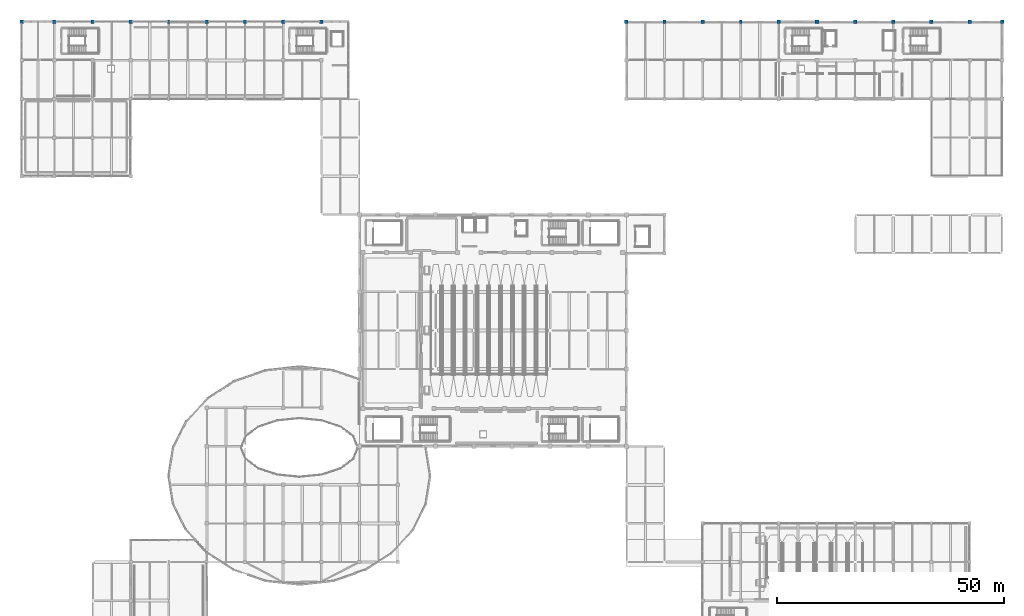
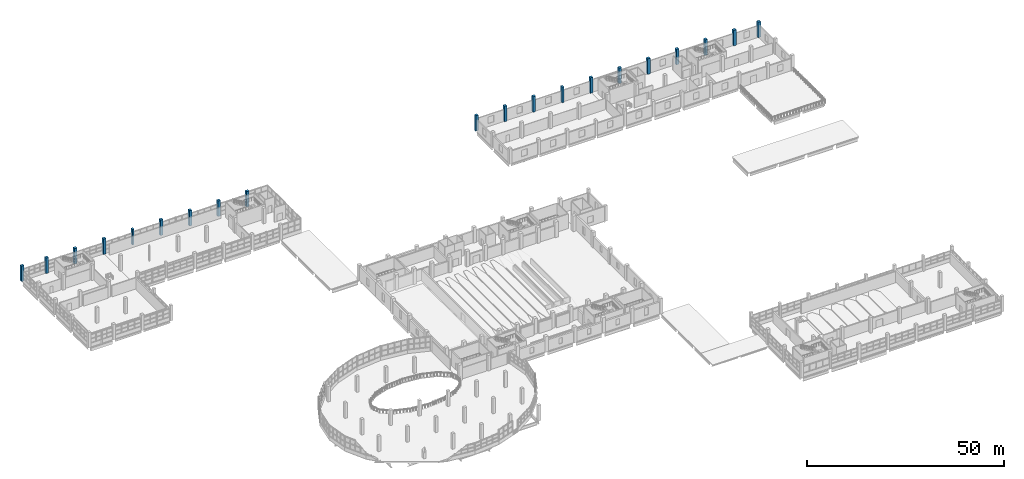
# One storey, part 5 of 117: 20 columns.
"""IFC4 building model written with IfcOpenShell, lengths in metres."""

from ifc_helpers import new_model, si_unit, direction, frame, origin, origin_2d, place, context, subcontext, project, spatial, rectangle, extrude, material, material_profile, profile_set, type_object, element, save


model = new_model("IFC4")

# Units and contexts
model_context = context("Model", 3, precision=1e-05, world=origin(), true_north=direction((0.0, 1.0)))
body_context = subcontext(model_context, "Body", "Model", "MODEL_VIEW")
ifc_project = project(units=[si_unit("LENGTHUNIT", "METRE"), si_unit("AREAUNIT", "SQUARE_METRE"), si_unit("VOLUMEUNIT", "CUBIC_METRE"), si_unit("PLANEANGLEUNIT", "RADIAN"), si_unit("MASSUNIT", "GRAM", prefix="KILO")], contexts=[model_context])

# Site, building, storey
site_placement = place(None, origin())
site = spatial("IfcSite", under=ifc_project, at=site_placement, CompositionType="ELEMENT")
building_placement = place(site_placement, origin())
building = spatial("IfcBuilding", under=site, at=building_placement, Name="Solvento Point Concert Hall", CompositionType="ELEMENT")
storey_placement = place(building_placement, frame((0.0, 0.0, 5.39990234375)))
storey = spatial("IfcBuildingStorey", under=building, at=storey_placement, Name="L01", CompositionType="ELEMENT", Elevation=5.39990234375)

# Columns
ifc_material_1 = material(Name="Concrete C40/50", Category="concrete")
ifc_material_profile_1 = material_profile(ifc_material_1, rectangle(XDim=0.75, YDim=0.75, at=origin_2d()), Name="RC-COL-750X750")
ifc_profile_set_1 = profile_set([ifc_material_profile_1], Name="Concrete C40/50")
column_type_1 = type_object("IfcColumnType", Name="Col_RC_750", PredefinedType="COLUMN", material=ifc_profile_set_1)
for number, where, z_axis, x_axis, name in (
    (1, (0.0, 136.0, 0.0), (0.0, 0.0, 1.0), (1.0, 0.0, 0.0), "Column C-29 01/S L01"),
    (2, (7.199951171875, 136.0, 0.0), (0.0, 0.0, 1.0), (1.0, 0.0, 0.0), "Column C-29 02/S L01"),
    (3, (15.60009765625, 136.0, 0.0), (0.0, 0.0, 1.0), (1.0, 0.0, 0.0), "Column C-29 03/S L01"),
    (4, (24.0, 136.0, 0.0), (0.0, 0.0, 1.0), (1.0, 0.0, 0.0), "Column C-29 04/S L01"),
    (5, (40.800048828125, 136.0, 0.0), (0.0, 0.0, 1.0), (1.0, 0.0, 0.0), "Column C-29 06/S L01"),
    (6, (49.199951171875, 136.0, 0.0), (0.0, 0.0, 1.0), (1.0, 0.0, 0.0), "Column C-29 07/S L01"),
    (7, (57.60009765625, 136.0, 0.0), (0.0, 0.0, 1.0), (1.0, 0.0, 0.0), "Column C-29 08/S L01"),
    (8, (66.0, 136.0, 0.0), (0.0, 0.0, 1.0), (1.0, 0.0, 0.0), "Column C-29 09/S L01"),
    (9, (133.199951171875, 136.0, 0.0), (0.0, 0.0, 1.0), (1.0, 0.0, 0.0), "Column C-29 17/S L01"),
    (10, (141.60009765625, 136.0, 0.0), (0.0, 0.0, 1.0), (1.0, 0.0, 0.0), "Column C-29 18/S L01"),
    (11, (150.0, 136.0, 0.0), (0.0, 0.0, 1.0), (1.0, 0.0, 0.0), "Column C-29 19/S L01"),
):
    element("IfcColumn", number, at=place(storey_placement, frame(where, z_axis=z_axis, x_axis=x_axis)), inside=storey, type_object=column_type_1, Name=name, PredefinedType="COLUMN", context=body_context, shape_type="SweptSolid", body=[
        extrude(rectangle(XDim=0.75, YDim=0.75, at=origin_2d()), origin(), (0.0, 0.0, 1.0), 4.800048828125),
    ])
ifc_material_2 = material(Name="Concrete C40/50", Category="concrete")
ifc_material_profile_2 = material_profile(ifc_material_2, rectangle(XDim=0.780029296875, YDim=0.780029296875, at=origin_2d()), Name="RC-COL-780X780")
ifc_profile_set_2 = profile_set([ifc_material_profile_2], Name="Concrete C40/50")
column_type_2 = type_object("IfcColumnType", Name="Col_RC_780", PredefinedType="COLUMN", material=ifc_profile_set_2)
for number, where, z_axis, x_axis, name in (
    (12, (166.800048828125, 136.0, 0.0), (0.0, 0.0, 1.0), (1.0, 0.0, 0.0), "Column C-54 21/S L01"),
    (13, (175.199951171875, 136.0, 0.0), (0.0, 0.0, 1.0), (1.0, 0.0, 0.0), "Column C-54 22/S L01"),
    (14, (183.60009765625, 136.0, 0.0), (0.0, 0.0, 1.0), (1.0, 0.0, 0.0), "Column C-54 23/S L01"),
    (15, (192.0, 136.0, 0.0), (0.0, 0.0, 1.0), (1.0, 0.0, 0.0), "Column C-54 24/S L01"),
    (16, (200.39990234375, 136.0, 0.0), (0.0, 0.0, 1.0), (1.0, 0.0, 0.0), "Column C-54 25/S L01"),
    (17, (208.800048828125, 136.0, 0.0), (0.0, 0.0, 1.0), (1.0, 0.0, 0.0), "Column C-54 26/S L01"),
    (18, (216.0, 136.0, 0.0), (0.0, 0.0, 1.0), (1.0, 0.0, 0.0), "Column C-54 27/S L01"),
):
    element("IfcColumn", number, at=place(storey_placement, frame(where, z_axis=z_axis, x_axis=x_axis)), inside=storey, type_object=column_type_2, Name=name, PredefinedType="COLUMN", context=body_context, shape_type="SweptSolid", body=[
        extrude(rectangle(XDim=0.780029296875, YDim=0.780029296875, at=origin_2d()), origin(), (0.0, 0.0, 1.0), 4.800048828125),
    ])
ifc_material_3 = material(Name="Concrete C40/50", Category="concrete")
ifc_material_profile_3 = material_profile(ifc_material_3, rectangle(XDim=0.5, YDim=0.800048828125, at=origin_2d()), Name="RC-PIL-500X800")
ifc_profile_set_3 = profile_set([ifc_material_profile_3], Name="Concrete C40/50")
column_type_3 = type_object("IfcColumnType", Name="Pilaster_500x800", PredefinedType="PILASTER", material=ifc_profile_set_3)
for number, where, z_axis, x_axis, name in (
    (19, (32.39990234375, 136.0, 0.0), (0.0, 0.0, 1.0), (1.0, 0.0, 0.0), "Column C-70 05/S L01"),
    (20, (158.39990234375, 136.0, 0.0), (0.0, 0.0, 1.0), (1.0, 0.0, 0.0), "Column C-70 20/S L01"),
):
    element("IfcColumn", number, at=place(storey_placement, frame(where, z_axis=z_axis, x_axis=x_axis)), inside=storey, type_object=column_type_3, Name=name, PredefinedType="PILASTER", context=body_context, shape_type="SweptSolid", body=[
        extrude(rectangle(XDim=0.5, YDim=0.800048828125, at=origin_2d()), origin(), (0.0, 0.0, 1.0), 4.800048828125),
    ])

save(model, "model.ifc")
